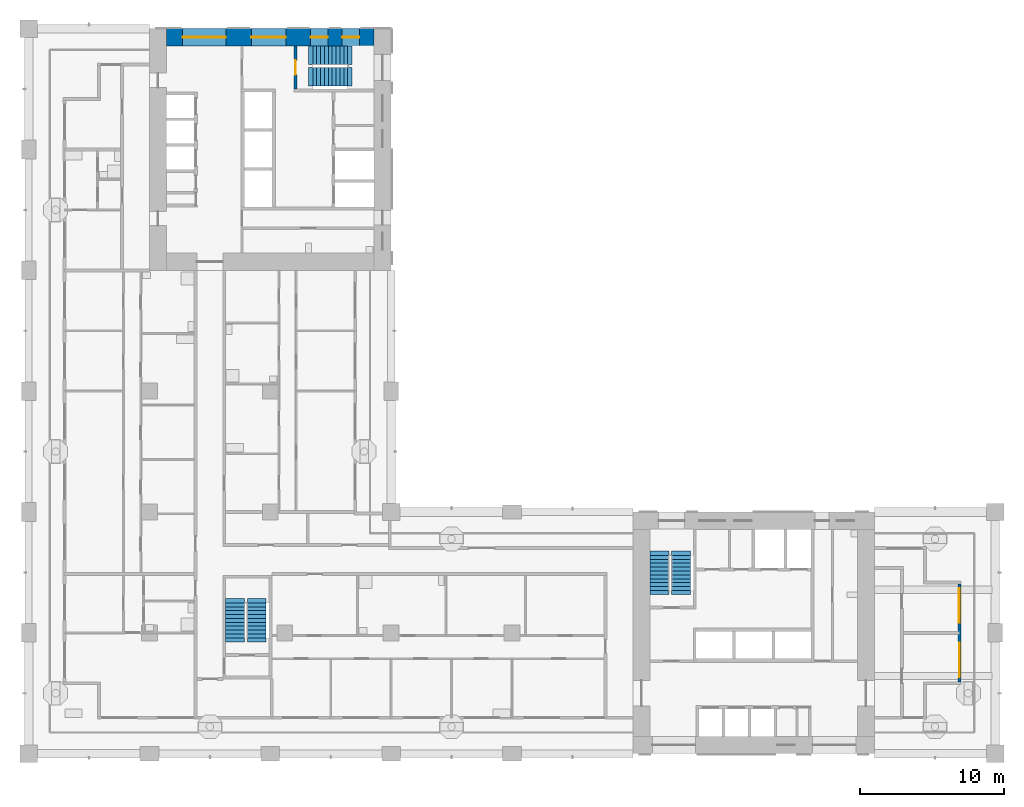
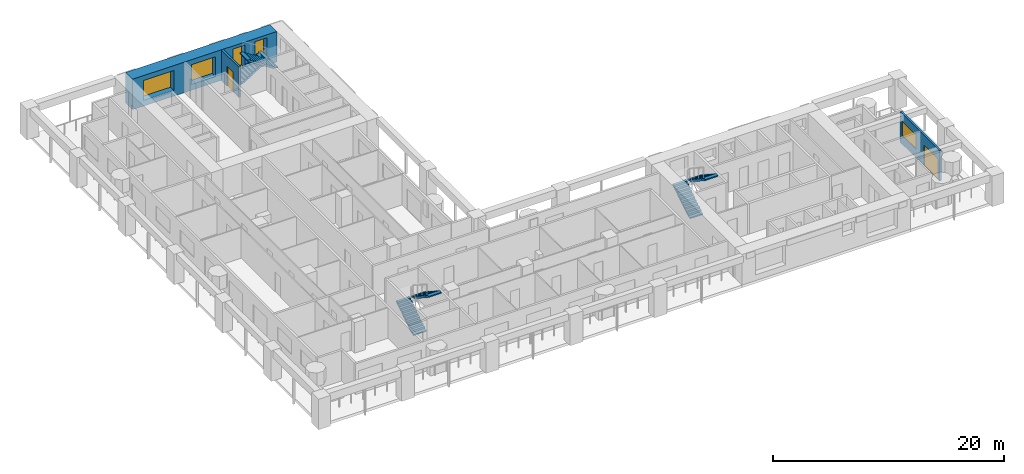
# One storey, part 8 of 18: 6 stair flights, 5 windows, 3 walls, 2 doors, 7 openings, 3 elements without a shape of their own.
"""IFC4 building model written with IfcOpenShell, lengths in metres."""

from ifc_helpers import new_model, si_unit, direction, frame, frame_2d, origin, place, context, subcontext, project, spatial, polyline, rectangle, outline, extrude, material, layer, layer_set, type_object, element, fill, aggregate, save


model = new_model("IFC4")

# Units and contexts
model_context = context("Model", 3, precision=1e-05, world=origin(), true_north=direction((0.0, 1.0)))
body_context = subcontext(model_context, "Body", "Model", "MODEL_VIEW")
ifc_project = project(units=[si_unit("LENGTHUNIT", "METRE"), si_unit("AREAUNIT", "SQUARE_METRE"), si_unit("VOLUMEUNIT", "CUBIC_METRE"), si_unit("PLANEANGLEUNIT", "RADIAN"), si_unit("MASSUNIT", "GRAM", prefix="KILO")], contexts=[model_context])

# Site, building, storey
site_placement = place(None, origin())
site = spatial("IfcSite", under=ifc_project, at=site_placement, CompositionType="ELEMENT")
building_placement = place(site_placement, origin())
building = spatial("IfcBuilding", under=site, at=building_placement, Name="Vermilion Gate Residences", CompositionType="ELEMENT")
storey_placement = place(building_placement, frame((0.0, 0.0, 105.699951171875)))
storey = spatial("IfcBuildingStorey", under=building, at=storey_placement, Name="L26", CompositionType="ELEMENT", Elevation=105.699951171875)

# Wall, openings, door, window
ifc_material_1 = material(Name="Insulated steel stud wall with terracotta rainscreen", Category="masonry")
ifc_layer_1 = layer(ifc_material_1, 0.199951171875)
ifc_layer_set_1 = layer_set([ifc_layer_1], Name="EXTERNAL WALL 200 TERRACOTTA RAINSCREEN")
wall_type_1 = type_object("IfcWallType", Name="EXTERNAL WALL 200 TERRACOTTA RAINSCREEN", PredefinedType="SOLIDWALL", material=ifc_layer_set_1)
wall_1_placement = place(storey_placement, frame((64.699951171875, 13.39990234375, 0.0), z_axis=(0.0, 0.0, 1.0), x_axis=(0.0, 1.0, 0.0)))
wall_1 = element("IfcWall", 1, at=wall_1_placement, inside=storey, type_object=wall_type_1, Name="External wall", PredefinedType="SOLIDWALL", context=body_context, shape_type="SweptSolid", body=[
    extrude(rectangle(XDim=6.800048828125, YDim=0.199951171875, at=frame_2d((3.39990234375, 0.0))), origin(), (0.0, 0.0, 1.0), 3.219970703125),
])
opening_1_placement = place(wall_1_placement, frame((4.10009765625, 0.0, 0.89990234375)))
opening_1 = element("IfcOpeningElement", 2, at=opening_1_placement, cuts=wall_1, Name="Opening WE26022", PredefinedType="OPENING", context=body_context, shape_type="SweptSolid", body=[
    extrude(rectangle(XDim=2.39990234375, YDim=1.5, at=frame_2d((1.199951171875, 0.75))), frame((0.0, 0.10986328125, 0.0), z_axis=(0.0, -1.0, 0.0), x_axis=(1.0, 0.0, 0.0)), (0.0, 0.0, 1.0), 0.219970703125),
])
opening_2_placement = place(wall_1_placement, frame((0.300048828125, 0.0, 0.0)))
opening_2 = element("IfcOpeningElement", 3, at=opening_2_placement, cuts=wall_1, Name="Opening DE26028", PredefinedType="OPENING", context=body_context, shape_type="SweptSolid", body=[
    extrude(rectangle(XDim=2.39990234375, YDim=2.199951171875, at=frame_2d((1.199951171875, 1.10009765625))), frame((0.0, 0.10986328125, 0.0), z_axis=(0.0, -1.0, 0.0), x_axis=(1.0, 0.0, 0.0)), (0.0, 0.0, 1.0), 0.219970703125),
])
ifc_material_2 = material(Name="Aluminium and clear glass", Category="aluminium")
door_type_1 = type_object("IfcDoorType", Name="SLIDING GLAZED DOOR 2400 X 2200", OperationType="DOUBLE_DOOR_SLIDING", PredefinedType="DOOR", material=ifc_material_2)
door_1_placement = place(opening_2_placement, origin())
door_1 = element("IfcDoor", 4, at=door_1_placement, inside=storey, type_object=door_type_1, Name="Loggia sliding door", OperationType="DOUBLE_DOOR_SLIDING", OverallHeight=2.199951171875, OverallWidth=2.39990234375, PredefinedType="DOOR", context=body_context, shape_type="SweptSolid", body=[
    extrude(rectangle(XDim=2.39990234375, YDim=2.199951171875, at=frame_2d((1.199951171875, 1.10009765625))), frame((0.0, 0.02490234375, 0.0), z_axis=(0.0, -1.0, 0.0), x_axis=(1.0, 0.0, 0.0)), (0.0, 0.0, 1.0), 0.050048828125),
])
fill(opening_2, door_1)
ifc_material_3 = material(Name="Aluminium and clear glass", Category="aluminium")
window_type_1 = type_object("IfcWindowType", Name="WINDOW 2400 X 1500", PartitioningType="SINGLE_PANEL", PredefinedType="WINDOW", material=ifc_material_3)
window_1_placement = place(opening_1_placement, origin())
window_1 = element("IfcWindow", 5, at=window_1_placement, inside=storey, type_object=window_type_1, Name="Window", OverallHeight=1.5, OverallWidth=2.39990234375, PartitioningType="SINGLE_PANEL", PredefinedType="WINDOW", context=body_context, shape_type="SweptSolid", body=[
    extrude(rectangle(XDim=2.39990234375, YDim=1.5, at=frame_2d((1.199951171875, 0.75))), frame((0.0, 0.030029296875, 0.0), z_axis=(0.0, -1.0, 0.0), x_axis=(1.0, 0.0, 0.0)), (0.0, 0.0, 1.0), 0.06005859375),
])
fill(opening_1, window_1)

# Wall, opening, door
ifc_material_4 = material(Name="Concrete C60", Category="concrete")
ifc_layer_2 = layer(ifc_material_4, 0.199951171875)
ifc_layer_set_2 = layer_set([ifc_layer_2], Name="RC CORE INTERNAL WALL 200 C60")
wall_type_2 = type_object("IfcWallType", Name="RC CORE INTERNAL WALL 200 C60", PredefinedType="SHEAR", material=ifc_layer_set_2)
wall_2_placement = place(storey_placement, frame((18.550048828125, 57.60009765625, 0.0), z_axis=(0.0, 0.0, 1.0), x_axis=(0.0, -1.0, 0.0)))
wall_2 = element("IfcWall", 6, at=wall_2_placement, inside=storey, type_object=wall_type_2, Name="Core internal wall B26-STW-S", PredefinedType="SHEAR", context=body_context, shape_type="SweptSolid", body=[
    extrude(rectangle(XDim=3.0, YDim=0.199951171875, at=frame_2d((1.5, 0.0))), origin(), (0.0, 0.0, 1.0), 3.219970703125),
])
opening_3_placement = place(wall_2_placement, frame((1.0, 0.0, 0.0)))
opening_3 = element("IfcOpeningElement", 7, at=opening_3_placement, cuts=wall_2, Name="Opening DK26114", PredefinedType="OPENING", context=body_context, shape_type="SweptSolid", body=[
    extrude(rectangle(XDim=1.0, YDim=2.10009765625, at=frame_2d((0.5, 1.050048828125))), frame((0.0, 0.10986328125, 0.0), z_axis=(0.0, -1.0, 0.0), x_axis=(1.0, 0.0, 0.0)), (0.0, 0.0, 1.0), 0.219970703125),
])
ifc_material_5 = material(Name="Steel", Category="steel")
door_type_2 = type_object("IfcDoorType", Name="FIRE DOOR FD60 1000 X 2100", OperationType="SINGLE_SWING_LEFT", PredefinedType="DOOR", material=ifc_material_5)
door_2_placement = place(opening_3_placement, origin())
door_2 = element("IfcDoor", 8, at=door_2_placement, inside=storey, type_object=door_type_2, Name="Stair door B26", OperationType="SINGLE_SWING_LEFT", OverallHeight=2.10009765625, OverallWidth=1.0, PredefinedType="DOOR", context=body_context, shape_type="SweptSolid", body=[
    extrude(rectangle(XDim=1.0, YDim=2.10009765625, at=frame_2d((0.5, 1.050048828125))), frame((0.0, 0.02490234375, 0.0), z_axis=(0.0, -1.0, 0.0), x_axis=(1.0, 0.0, 0.0)), (0.0, 0.0, 1.0), 0.050048828125),
])
fill(opening_3, door_2)

# Wall, openings, windows
ifc_material_6 = material(Name="Concrete C70 red-oxide pigmented", Category="concrete")
ifc_layer_3 = layer(ifc_material_6, 1.199951171875)
ifc_layer_set_3 = layer_set([ifc_layer_3], Name="RC CORE WALL 1200 C70 RED OXIDE")
wall_type_3 = type_object("IfcWallType", Name="RC CORE WALL 1200 C70 RED OXIDE", PredefinedType="SHEAR", material=ifc_layer_set_3)
wall_3_placement = place(storey_placement, frame((9.60009765625, 58.199951171875, 0.0), z_axis=(0.0, 0.0, 1.0), x_axis=(1.0, 0.0, 0.0)))
wall_3 = element("IfcWall", 9, at=wall_3_placement, inside=storey, type_object=wall_type_3, Name="Core wall B26-OUT-FR", PredefinedType="SHEAR", context=body_context, shape_type="SweptSolid", body=[
    extrude(rectangle(XDim=14.39990234375, YDim=1.199951171875, at=frame_2d((7.199951171875, 0.0))), origin(), (0.0, 0.0, 1.0), 3.219970703125),
])
opening_4_placement = place(wall_3_placement, frame((1.10498046875, 0.0, 0.60009765625)))
opening_4 = element("IfcOpeningElement", 10, at=opening_4_placement, cuts=wall_3, Name="Opening WKB2606", PredefinedType="OPENING", context=body_context, shape_type="SweptSolid", body=[
    extrude(rectangle(XDim=3.0, YDim=2.10009765625, at=frame_2d((1.5, 1.050048828125))), frame((0.0, 0.60986328125, 0.0), z_axis=(0.0, -1.0, 0.0), x_axis=(1.0, 0.0, 0.0)), (0.0, 0.0, 1.0), 1.219970703125),
])
opening_5_placement = place(wall_3_placement, frame((5.875, 0.0, 0.60009765625)))
opening_5 = element("IfcOpeningElement", 11, at=opening_5_placement, cuts=wall_3, Name="Opening WKB2607", PredefinedType="OPENING", context=body_context, shape_type="SweptSolid", body=[
    extrude(rectangle(XDim=2.39990234375, YDim=2.10009765625, at=frame_2d((1.199951171875, 1.050048828125))), frame((0.0, 0.60986328125, 0.0), z_axis=(0.0, -1.0, 0.0), x_axis=(1.0, 0.0, 0.0)), (0.0, 0.0, 1.0), 1.219970703125),
])
opening_6_placement = place(wall_3_placement, frame((9.993408203125, 0.0, 0.5)))
opening_6 = element("IfcOpeningElement", 12, at=opening_6_placement, cuts=wall_3, Name="Opening WKB2608", PredefinedType="OPENING", context=body_context, shape_type="SweptSolid", body=[
    extrude(rectangle(XDim=1.199951171875, YDim=2.39990234375, at=frame_2d((0.60009765625, 1.199951171875))), frame((0.0, 0.60986328125, 0.0), z_axis=(0.0, -1.0, 0.0), x_axis=(1.0, 0.0, 0.0)), (0.0, 0.0, 1.0), 1.219970703125),
])
opening_7_placement = place(wall_3_placement, frame((12.19677734375, 0.0, 0.5)))
opening_7 = element("IfcOpeningElement", 13, at=opening_7_placement, cuts=wall_3, Name="Opening WKB2609", PredefinedType="OPENING", context=body_context, shape_type="SweptSolid", body=[
    extrude(rectangle(XDim=1.199951171875, YDim=2.39990234375, at=frame_2d((0.60009765625, 1.199951171875))), frame((0.0, 0.60986328125, 0.0), z_axis=(0.0, -1.0, 0.0), x_axis=(1.0, 0.0, 0.0)), (0.0, 0.0, 1.0), 1.219970703125),
])
ifc_material_7 = material(Name="Aluminium and clear glass", Category="aluminium")
window_type_2 = type_object("IfcWindowType", Name="CORE LOBBY WINDOW 2400 X 2100", PartitioningType="SINGLE_PANEL", PredefinedType="WINDOW", material=ifc_material_7)
window_2_placement = place(opening_5_placement, origin())
window_2 = element("IfcWindow", 14, at=window_2_placement, inside=storey, type_object=window_type_2, Name="Core lobby window", OverallHeight=2.10009765625, OverallWidth=2.39990234375, PartitioningType="SINGLE_PANEL", PredefinedType="WINDOW", context=body_context, shape_type="SweptSolid", body=[
    extrude(rectangle(XDim=2.39990234375, YDim=2.10009765625, at=frame_2d((1.199951171875, 1.050048828125))), frame((0.0, 0.030029296875, 0.0), z_axis=(0.0, -1.0, 0.0), x_axis=(1.0, 0.0, 0.0)), (0.0, 0.0, 1.0), 0.06005859375),
])
fill(opening_5, window_2)
ifc_material_8 = material(Name="Aluminium and clear glass", Category="aluminium")
window_type_3 = type_object("IfcWindowType", Name="CORE LOBBY WINDOW 3000 X 2100", PartitioningType="SINGLE_PANEL", PredefinedType="WINDOW", material=ifc_material_8)
window_3_placement = place(opening_4_placement, origin())
window_3 = element("IfcWindow", 15, at=window_3_placement, inside=storey, type_object=window_type_3, Name="Core lobby window", OverallHeight=2.10009765625, OverallWidth=3.0, PartitioningType="SINGLE_PANEL", PredefinedType="WINDOW", context=body_context, shape_type="SweptSolid", body=[
    extrude(rectangle(XDim=3.0, YDim=2.10009765625, at=frame_2d((1.5, 1.050048828125))), frame((0.0, 0.030029296875, 0.0), z_axis=(0.0, -1.0, 0.0), x_axis=(1.0, 0.0, 0.0)), (0.0, 0.0, 1.0), 0.06005859375),
])
fill(opening_4, window_3)
ifc_material_9 = material(Name="Aluminium and clear glass", Category="aluminium")
window_type_4 = type_object("IfcWindowType", Name="CORE STAIR WINDOW 1200 X 2400", PartitioningType="SINGLE_PANEL", PredefinedType="WINDOW", material=ifc_material_9)
window_4_placement = place(opening_6_placement, origin())
window_4 = element("IfcWindow", 16, at=window_4_placement, inside=storey, type_object=window_type_4, Name="Core stair window", OverallHeight=2.39990234375, OverallWidth=1.199951171875, PartitioningType="SINGLE_PANEL", PredefinedType="WINDOW", context=body_context, shape_type="SweptSolid", body=[
    extrude(rectangle(XDim=1.199951171875, YDim=2.39990234375, at=frame_2d((0.60009765625, 1.199951171875))), frame((0.0, 0.030029296875, 0.0), z_axis=(0.0, -1.0, 0.0), x_axis=(1.0, 0.0, 0.0)), (0.0, 0.0, 1.0), 0.06005859375),
])
fill(opening_6, window_4)
window_5_placement = place(opening_7_placement, origin())
window_5 = element("IfcWindow", 17, at=window_5_placement, inside=storey, type_object=window_type_4, Name="Core stair window", OverallHeight=2.39990234375, OverallWidth=1.199951171875, PartitioningType="SINGLE_PANEL", PredefinedType="WINDOW", context=body_context, shape_type="SweptSolid", body=[
    extrude(rectangle(XDim=1.199951171875, YDim=2.39990234375, at=frame_2d((0.60009765625, 1.199951171875))), frame((0.0, 0.030029296875, 0.0), z_axis=(0.0, -1.0, 0.0), x_axis=(1.0, 0.0, 0.0)), (0.0, 0.0, 1.0), 0.06005859375),
])
fill(opening_7, window_5)

# Stair, stair flights
ifc_material_10 = material(Name="Concrete C50", Category="concrete")
stair_type = type_object("IfcStairType", Name="SPECIAL ESCAPE STAIR 1300", PredefinedType="HALF_TURN_STAIR", material=ifc_material_10)
stair_1_placement = place(storey_placement, origin())
stair_1 = element("IfcStair", 18, at=stair_1_placement, inside=storey, type_object=stair_type, Name="Special escape stair STA1-26", PredefinedType="HALF_TURN_STAIR")
ifc_material_11 = material(Name="Concrete C50", Category="concrete")
stair_flight_type = type_object("IfcStairFlightType", Name="STAIR FLIGHT 1300 RC C50", PredefinedType="STRAIGHT", material=ifc_material_11)
stair_flight_1_placement = place(storey_placement, frame((43.85009765625, 19.75, 0.0), z_axis=(0.0, 0.0, 1.0), x_axis=(0.0, 1.0, 0.0)))
stair_flight_1 = element("IfcStairFlight", 19, at=stair_flight_1_placement, type_object=stair_flight_type, Name="STA1-26 flight 1", NumberOfRisers=10, NumberOfTreads=9, PredefinedType="STRAIGHT", RiserHeight=0.175, TreadLength=0.27, context=body_context, shape_type="SweptSolid", body=[
    extrude(outline(polyline([(-0.300048828125, -0.14990234375), (-0.300048828125, -0.030029296875), (0.0, 0.0), (0.0, 0.175048828125), (0.27001953125, 0.175048828125), (0.27001953125, 0.35009765625), (0.5400390625, 0.35009765625), (0.5400390625, 0.52490234375), (0.81005859375, 0.52490234375), (0.81005859375, 0.699951171875), (1.080078125, 0.699951171875), (1.080078125, 0.875), (1.35009765625, 0.875), (1.35009765625, 1.050048828125), (1.6201171875, 1.050048828125), (1.6201171875, 1.22509765625), (1.889892578125, 1.22509765625), (1.889892578125, 1.39990234375), (2.159912109375, 1.39990234375), (2.159912109375, 1.574951171875), (2.429931640625, 1.574951171875), (2.429931640625, 1.75), (2.72998046875, 1.719970703125), (2.72998046875, 1.60009765625), (2.429931640625, 1.396484375), (0.275634765625, 0.0), (-0.300048828125, -0.14990234375)])), frame((0.0, 0.64990234375, 0.0), z_axis=(0.0, -1.0, 0.0), x_axis=(1.0, 0.0, 0.0)), (0.0, 0.0, 1.0), 1.300048828125),
])
stair_flight_2_placement = place(storey_placement, frame((45.35009765625, 22.179931640625, 1.75), z_axis=(0.0, 0.0, 1.0), x_axis=(0.0, -1.0, 0.0)))
stair_flight_2 = element("IfcStairFlight", 20, at=stair_flight_2_placement, type_object=stair_flight_type, Name="STA1-26 flight 2", NumberOfRisers=10, NumberOfTreads=9, PredefinedType="STRAIGHT", RiserHeight=0.175, TreadLength=0.27, context=body_context, shape_type="SweptSolid", body=[
    extrude(outline(polyline([(-0.300048828125, -0.14990234375), (-0.300048828125, -0.030029296875), (0.0, 0.0), (0.0, 0.175048828125), (0.27001953125, 0.175048828125), (0.27001953125, 0.35009765625), (0.5400390625, 0.35009765625), (0.5400390625, 0.52490234375), (0.81005859375, 0.52490234375), (0.81005859375, 0.699951171875), (1.080078125, 0.699951171875), (1.080078125, 0.875), (1.35009765625, 0.875), (1.35009765625, 1.050048828125), (1.6201171875, 1.050048828125), (1.6201171875, 1.22509765625), (1.889892578125, 1.22509765625), (1.889892578125, 1.39990234375), (2.159912109375, 1.39990234375), (2.159912109375, 1.574951171875), (2.429931640625, 1.574951171875), (2.429931640625, 1.75), (2.72998046875, 1.719970703125), (2.72998046875, 1.60009765625), (2.429931640625, 1.396484375), (0.275634765625, 0.0), (-0.300048828125, -0.14990234375)])), frame((0.0, 0.64990234375, 0.0), z_axis=(0.0, -1.0, 0.0), x_axis=(1.0, 0.0, 0.0)), (0.0, 0.0, 1.0), 1.300048828125),
])
aggregate(stair_1, [stair_flight_1, stair_flight_2])

stair_2_placement = place(storey_placement, origin())
stair_2 = element("IfcStair", 21, at=stair_2_placement, inside=storey, type_object=stair_type, Name="Special escape stair STB1-26", PredefinedType="HALF_TURN_STAIR")
stair_flight_3_placement = place(storey_placement, frame((19.75, 56.949951171875, 0.0), z_axis=(0.0, 0.0, 1.0), x_axis=(1.0, 0.0, 0.0)))
stair_flight_3 = element("IfcStairFlight", 22, at=stair_flight_3_placement, type_object=stair_flight_type, Name="STB1-26 flight 1", NumberOfRisers=10, NumberOfTreads=9, PredefinedType="STRAIGHT", RiserHeight=0.175, TreadLength=0.27, context=body_context, shape_type="SweptSolid", body=[
    extrude(outline(polyline([(-0.300048828125, -0.14990234375), (-0.300048828125, -0.030029296875), (0.0, 0.0), (0.0, 0.175048828125), (0.27001953125, 0.175048828125), (0.27001953125, 0.35009765625), (0.5400390625, 0.35009765625), (0.5400390625, 0.52490234375), (0.81005859375, 0.52490234375), (0.81005859375, 0.699951171875), (1.080078125, 0.699951171875), (1.080078125, 0.875), (1.35009765625, 0.875), (1.35009765625, 1.050048828125), (1.6201171875, 1.050048828125), (1.6201171875, 1.22509765625), (1.889892578125, 1.22509765625), (1.889892578125, 1.39990234375), (2.159912109375, 1.39990234375), (2.159912109375, 1.574951171875), (2.429931640625, 1.574951171875), (2.429931640625, 1.75), (2.72998046875, 1.719970703125), (2.72998046875, 1.60009765625), (2.429931640625, 1.396484375), (0.275634765625, 0.0), (-0.300048828125, -0.14990234375)])), frame((0.0, 0.64990234375, 0.0), z_axis=(0.0, -1.0, 0.0), x_axis=(1.0, 0.0, 0.0)), (0.0, 0.0, 1.0), 1.300048828125),
])
stair_flight_4_placement = place(storey_placement, frame((22.179931640625, 55.449951171875, 1.75), z_axis=(0.0, 0.0, 1.0), x_axis=(-1.0, 0.0, 0.0)))
stair_flight_4 = element("IfcStairFlight", 23, at=stair_flight_4_placement, type_object=stair_flight_type, Name="STB1-26 flight 2", NumberOfRisers=10, NumberOfTreads=9, PredefinedType="STRAIGHT", RiserHeight=0.175, TreadLength=0.27, context=body_context, shape_type="SweptSolid", body=[
    extrude(outline(polyline([(-0.300048828125, -0.14990234375), (-0.300048828125, -0.030029296875), (0.0, 0.0), (0.0, 0.175048828125), (0.27001953125, 0.175048828125), (0.27001953125, 0.35009765625), (0.5400390625, 0.35009765625), (0.5400390625, 0.52490234375), (0.81005859375, 0.52490234375), (0.81005859375, 0.699951171875), (1.080078125, 0.699951171875), (1.080078125, 0.875), (1.35009765625, 0.875), (1.35009765625, 1.050048828125), (1.6201171875, 1.050048828125), (1.6201171875, 1.22509765625), (1.889892578125, 1.22509765625), (1.889892578125, 1.39990234375), (2.159912109375, 1.39990234375), (2.159912109375, 1.574951171875), (2.429931640625, 1.574951171875), (2.429931640625, 1.75), (2.72998046875, 1.719970703125), (2.72998046875, 1.60009765625), (2.429931640625, 1.396484375), (0.275634765625, 0.0), (-0.300048828125, -0.14990234375)])), frame((0.0, 0.64990234375, 0.0), z_axis=(0.0, -1.0, 0.0), x_axis=(1.0, 0.0, 0.0)), (0.0, 0.0, 1.0), 1.300048828125),
])
aggregate(stair_2, [stair_flight_3, stair_flight_4])

stair_3_placement = place(storey_placement, origin())
stair_3 = element("IfcStair", 24, at=stair_3_placement, inside=storey, type_object=stair_type, Name="Special escape stair STC1-26", PredefinedType="HALF_TURN_STAIR")
stair_flight_5_placement = place(storey_placement, frame((14.35009765625, 16.449951171875, 0.0), z_axis=(0.0, 0.0, 1.0), x_axis=(0.0, 1.0, 0.0)))
stair_flight_5 = element("IfcStairFlight", 25, at=stair_flight_5_placement, type_object=stair_flight_type, Name="STC1-26 flight 1", NumberOfRisers=10, NumberOfTreads=9, PredefinedType="STRAIGHT", RiserHeight=0.175, TreadLength=0.27, context=body_context, shape_type="SweptSolid", body=[
    extrude(outline(polyline([(-0.300048828125, -0.14990234375), (-0.300048828125, -0.030029296875), (0.0, 0.0), (0.0, 0.175048828125), (0.27001953125, 0.175048828125), (0.27001953125, 0.35009765625), (0.5400390625, 0.35009765625), (0.5400390625, 0.52490234375), (0.81005859375, 0.52490234375), (0.81005859375, 0.699951171875), (1.080078125, 0.699951171875), (1.080078125, 0.875), (1.35009765625, 0.875), (1.35009765625, 1.050048828125), (1.6201171875, 1.050048828125), (1.6201171875, 1.22509765625), (1.889892578125, 1.22509765625), (1.889892578125, 1.39990234375), (2.159912109375, 1.39990234375), (2.159912109375, 1.574951171875), (2.429931640625, 1.574951171875), (2.429931640625, 1.75), (2.72998046875, 1.719970703125), (2.72998046875, 1.60009765625), (2.429931640625, 1.396484375), (0.275634765625, 0.0), (-0.300048828125, -0.14990234375)])), frame((0.0, 0.64990234375, 0.0), z_axis=(0.0, -1.0, 0.0), x_axis=(1.0, 0.0, 0.0)), (0.0, 0.0, 1.0), 1.300048828125),
])
stair_flight_6_placement = place(storey_placement, frame((15.85009765625, 18.8798828125, 1.75), z_axis=(0.0, 0.0, 1.0), x_axis=(0.0, -1.0, 0.0)))
stair_flight_6 = element("IfcStairFlight", 26, at=stair_flight_6_placement, type_object=stair_flight_type, Name="STC1-26 flight 2", NumberOfRisers=10, NumberOfTreads=9, PredefinedType="STRAIGHT", RiserHeight=0.175, TreadLength=0.27, context=body_context, shape_type="SweptSolid", body=[
    extrude(outline(polyline([(-0.300048828125, -0.14990234375), (-0.300048828125, -0.030029296875), (0.0, 0.0), (0.0, 0.175048828125), (0.27001953125, 0.175048828125), (0.27001953125, 0.35009765625), (0.5400390625, 0.35009765625), (0.5400390625, 0.52490234375), (0.81005859375, 0.52490234375), (0.81005859375, 0.699951171875), (1.080078125, 0.699951171875), (1.080078125, 0.875), (1.35009765625, 0.875), (1.35009765625, 1.050048828125), (1.6201171875, 1.050048828125), (1.6201171875, 1.22509765625), (1.889892578125, 1.22509765625), (1.889892578125, 1.39990234375), (2.159912109375, 1.39990234375), (2.159912109375, 1.574951171875), (2.429931640625, 1.574951171875), (2.429931640625, 1.75), (2.72998046875, 1.719970703125), (2.72998046875, 1.60009765625), (2.429931640625, 1.396484375), (0.275634765625, 0.0), (-0.300048828125, -0.14990234375)])), frame((0.0, 0.64990234375, 0.0), z_axis=(0.0, -1.0, 0.0), x_axis=(1.0, 0.0, 0.0)), (0.0, 0.0, 1.0), 1.300048828125),
])
aggregate(stair_3, [stair_flight_5, stair_flight_6])

save(model, "model.ifc")
